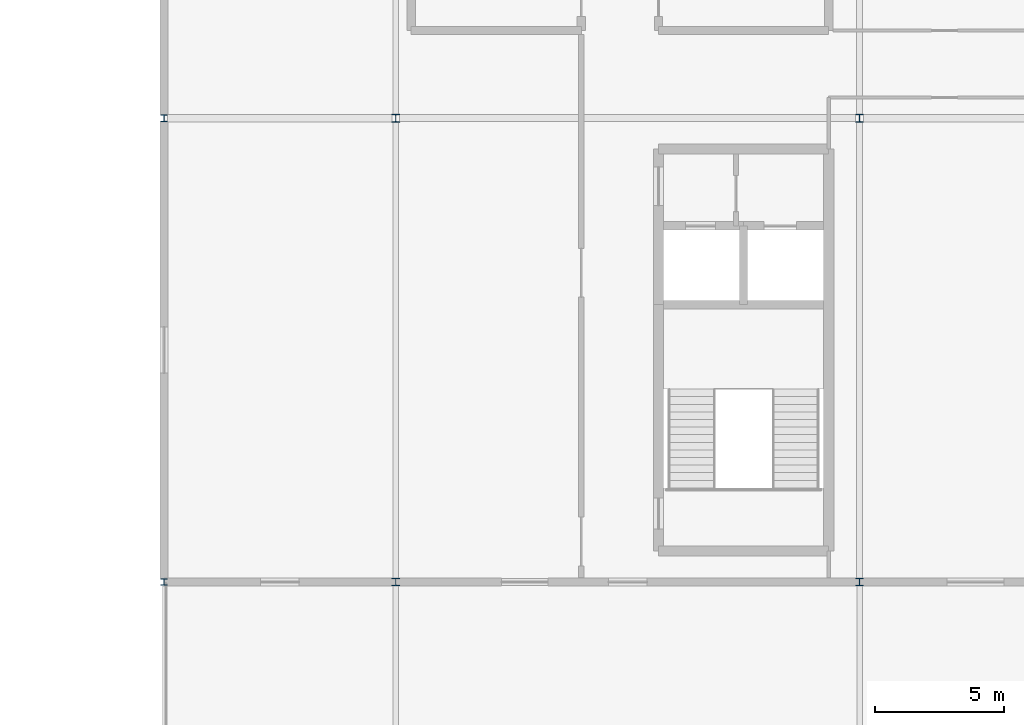
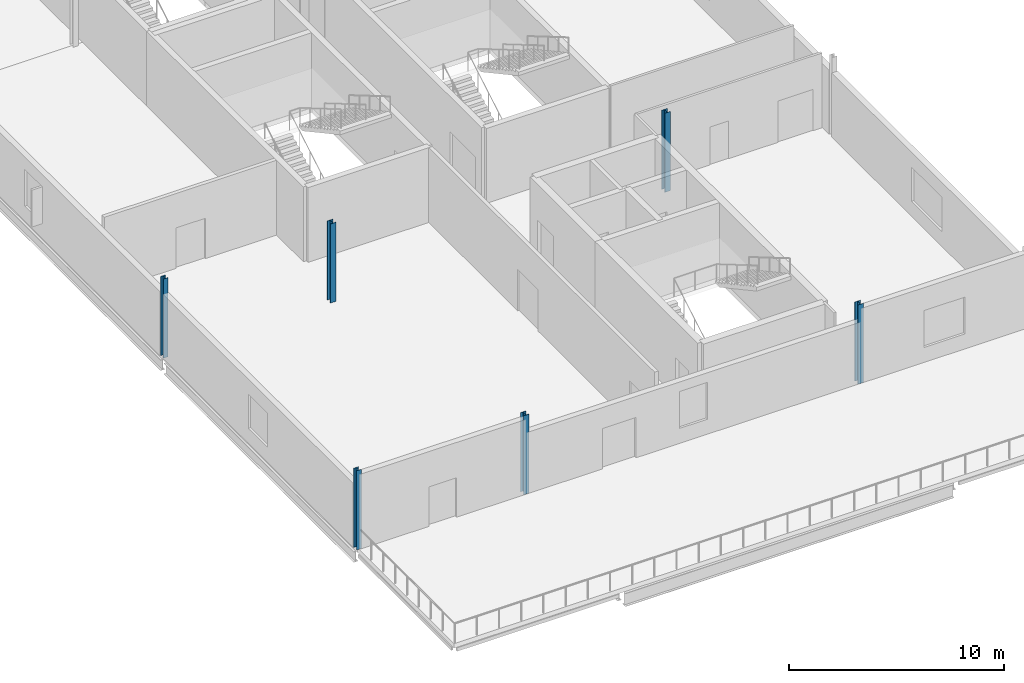
# One storey, part 4 of 28: 6 columns.
"""IFC4 building model written with IfcOpenShell, lengths in metres."""

from ifc_helpers import new_model, si_unit, direction, frame, origin, origin_2d, place, context, subcontext, project, spatial, i_section, extrude, material, material_profile, profile_set, type_object, element, save


model = new_model("IFC4")

# Units and contexts
model_context = context("Model", 3, precision=1e-05, world=origin(), true_north=direction((0.0, 1.0)))
body_context = subcontext(model_context, "Body", "Model", "MODEL_VIEW")
ifc_project = project(units=[si_unit("LENGTHUNIT", "METRE"), si_unit("AREAUNIT", "SQUARE_METRE"), si_unit("VOLUMEUNIT", "CUBIC_METRE"), si_unit("PLANEANGLEUNIT", "RADIAN"), si_unit("MASSUNIT", "GRAM", prefix="KILO")], contexts=[model_context])

# Site, building, storey
site_placement = place(None, origin())
site = spatial("IfcSite", under=ifc_project, at=site_placement, CompositionType="ELEMENT")
building_placement = place(site_placement, origin())
building = spatial("IfcBuilding", under=site, at=building_placement, Name="Kisiwana Market Hall", CompositionType="ELEMENT")
storey_placement = place(building_placement, frame((0.0, 0.0, 49.5)))
storey = spatial("IfcBuildingStorey", under=building, at=storey_placement, Name="L11", CompositionType="ELEMENT", Elevation=49.5)

# Columns
ifc_material_1 = material(Name="Steel S355", Category="steel")
ifc_material_profile_1 = material_profile(ifc_material_1, i_section(OverallWidth=0.300048828125, OverallDepth=0.300048828125, WebThickness=0.010986328125, FlangeThickness=0.01904296875, FilletRadius=0.027099609375, at=origin_2d()), Name="HEB 300")
ifc_profile_set_1 = profile_set([ifc_material_profile_1], Name="Steel S355")
column_type_1 = type_object("IfcColumnType", Name="COL-STL-HEB300", PredefinedType="COLUMN", material=ifc_profile_set_1)
for number, where, z_axis, x_axis, name in (
    (1, (171.0, 18.0, 0.0), (0.0, 0.0, 1.0), (1.0, 0.0, 0.0), "Column C/20 (L11) C-1344"),
    (2, (171.0, 36.0, 0.0), (0.0, 0.0, 1.0), (1.0, 0.0, 0.0), "Column E/20 (L11) C-1345"),
    (3, (189.0, 18.0, 0.0), (0.0, 0.0, 1.0), (1.0, 0.0, 0.0), "Column C/22 (L11) C-1349"),
    (4, (189.0, 36.0, 0.0), (0.0, 0.0, 1.0), (1.0, 0.0, 0.0), "Column E/22 (L11) C-1350"),
):
    element("IfcColumn", number, at=place(storey_placement, frame(where, z_axis=z_axis, x_axis=x_axis)), inside=storey, type_object=column_type_1, Name=name, PredefinedType="COLUMN", context=body_context, shape_type="SweptSolid", body=[
        extrude(i_section(OverallWidth=0.300048828125, OverallDepth=0.300048828125, WebThickness=0.010986328125, FlangeThickness=0.01904296875, FilletRadius=0.027099609375, at=origin_2d()), origin(), (0.0, 0.0, 1.0), 4.5),
    ])
ifc_material_2 = material(Name="Steel S355", Category="steel")
ifc_material_profile_2 = material_profile(ifc_material_2, i_section(OverallWidth=0.2587890625, OverallDepth=0.2666015625, WebThickness=0.0126953125, FlangeThickness=0.0205078125, at=origin_2d()), Name="UC 254x254x107")
ifc_profile_set_2 = profile_set([ifc_material_profile_2], Name="Steel S355")
column_type_2 = type_object("IfcColumnType", Name="COL-STL-UC107", PredefinedType="COLUMN", material=ifc_profile_set_2)
for number, where, z_axis, x_axis, name in (
    (5, (162.0, 18.0, 0.0), (0.0, 0.0, 1.0), (1.0, 0.0, 0.0), "Column C/19 (L11) C-1340"),
    (6, (162.0, 36.0, 0.0), (0.0, 0.0, 1.0), (1.0, 0.0, 0.0), "Column E/19 (L11) C-1341"),
):
    element("IfcColumn", number, at=place(storey_placement, frame(where, z_axis=z_axis, x_axis=x_axis)), inside=storey, type_object=column_type_2, Name=name, PredefinedType="COLUMN", context=body_context, shape_type="SweptSolid", body=[
        extrude(i_section(OverallWidth=0.2587890625, OverallDepth=0.2666015625, WebThickness=0.0126953125, FlangeThickness=0.0205078125, at=origin_2d()), origin(), (0.0, 0.0, 1.0), 4.5),
    ])

save(model, "model.ifc")
